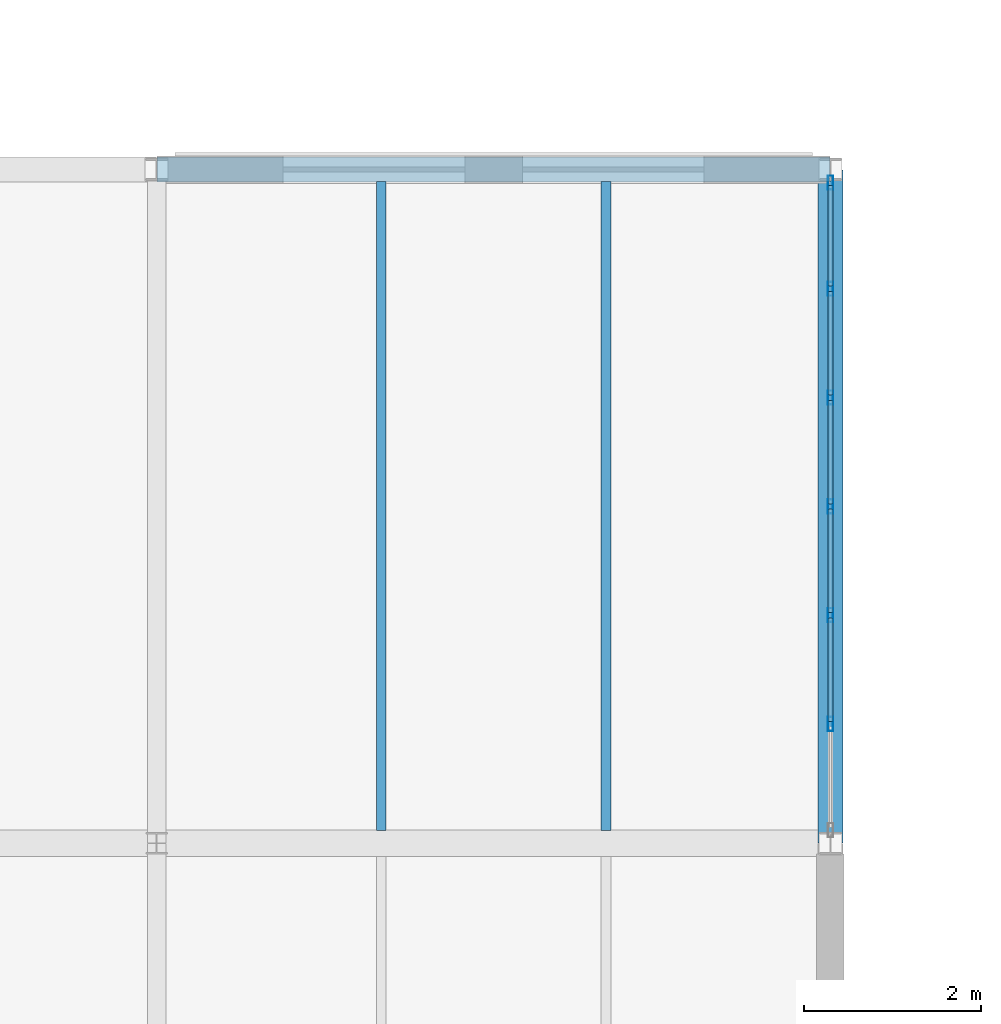
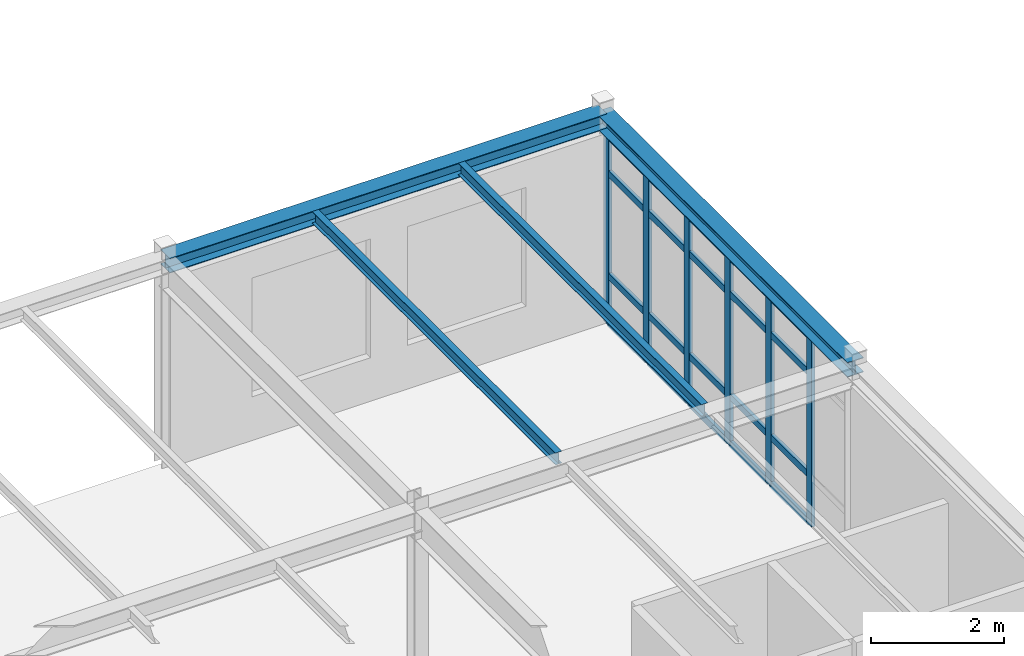
# One storey, part 37 of 189: 26 members, 4 beams, 1 element without a shape of its own.
"""IFC4 building model written with IfcOpenShell, lengths in metres."""

from ifc_helpers import new_model, si_unit, direction, frame, origin, origin_2d, place, context, subcontext, project, spatial, hollow_rectangle, i_section, extrude, material, layer, layer_set, material_profile, profile_set, type_object, element, aggregate, save


model = new_model("IFC4")

# Units and contexts
model_context = context("Model", 3, precision=1e-05, world=origin(), true_north=direction((0.0, 1.0)))
body_context = subcontext(model_context, "Body", "Model", "MODEL_VIEW")
ifc_project = project(units=[si_unit("LENGTHUNIT", "METRE"), si_unit("AREAUNIT", "SQUARE_METRE"), si_unit("VOLUMEUNIT", "CUBIC_METRE"), si_unit("PLANEANGLEUNIT", "RADIAN"), si_unit("MASSUNIT", "GRAM", prefix="KILO")], contexts=[model_context])

# Site, building, storey
site_placement = place(None, origin())
site = spatial("IfcSite", under=ifc_project, at=site_placement, CompositionType="ELEMENT")
building_placement = place(site_placement, origin())
building = spatial("IfcBuilding", under=site, at=building_placement, Name="Montecoro Central Library", CompositionType="ELEMENT")
storey_placement = place(building_placement, frame((0.0, 0.0, 9.179931640625)))
storey = spatial("IfcBuildingStorey", under=building, at=storey_placement, Name="L02", CompositionType="ELEMENT", Elevation=9.179931640625)

# Beams
ifc_material_1 = material(Name="Steel S355", Category="steel")
ifc_material_profile_1 = material_profile(ifc_material_1, i_section(OverallWidth=0.110107421875, OverallDepth=0.219970703125, WebThickness=0.005859375, FlangeThickness=0.00927734375, at=origin_2d()), Name="IPE 220")
ifc_profile_set_1 = profile_set([ifc_material_profile_1], Name="Steel S355")
beam_type_1 = type_object("IfcBeamType", Name="BM-J-IPE220", PredefinedType="JOIST", material=ifc_profile_set_1)
for number, where, z_axis, x_axis, name in (
    (1, (37.93310546875, 27.947021484375, 3.715087890625), (0.0, 1.0, 0.0), (-1.0, 0.0, 0.0), "V3-L02-JS-56-DE-1"),
    (2, (40.467041015625, 27.947021484375, 3.715087890625), (0.0, 1.0, 0.0), (-1.0, 0.0, 0.0), "V3-L02-JS-56-DE-2"),
):
    element("IfcBeam", number, at=place(storey_placement, frame(where, z_axis=z_axis, x_axis=x_axis)), inside=storey, type_object=beam_type_1, Name=name, PredefinedType="JOIST", context=body_context, shape_type="SweptSolid", body=[
        extrude(i_section(OverallWidth=0.110107421875, OverallDepth=0.219970703125, WebThickness=0.005859375, FlangeThickness=0.00927734375, at=origin_2d()), origin(), (0.0, 0.0, 1.0), 7.31591796875),
    ])
ifc_material_profile_2 = material_profile(ifc_material_1, i_section(OverallWidth=0.280029296875, OverallDepth=0.27001953125, WebThickness=0.008056640625, FlangeThickness=0.012939453125, at=origin_2d()), Name="HEA 280")
ifc_profile_set_2 = profile_set([ifc_material_profile_2], Name="Steel S355")
beam_type_2 = type_object("IfcBeamType", Name="BM-SP-HEA280", PredefinedType="SPANDREL", material=ifc_profile_set_2)
for number, where, z_axis, x_axis, name in (
    (3, (35.405029296875, 35.39990234375, 3.690185546875), (1.0, 0.0, 0.0), (0.0, 1.0, 0.0), "V3-L02-BX-56-E"),
    (4, (43.0, 27.804931640625, 3.690185546875), (0.0, 1.0, 0.0), (-1.0, 0.0, 0.0), "V3-L02-BY-6-DE"),
):
    element("IfcBeam", number, at=place(storey_placement, frame(where, z_axis=z_axis, x_axis=x_axis)), inside=storey, type_object=beam_type_2, Name=name, PredefinedType="SPANDREL", context=body_context, shape_type="SweptSolid", body=[
        extrude(i_section(OverallWidth=0.280029296875, OverallDepth=0.27001953125, WebThickness=0.008056640625, FlangeThickness=0.012939453125, at=origin_2d()), origin(), (0.0, 0.0, 1.0), 7.590087890625),
    ])

# Curtain wall, members
ifc_material_2 = material(Name="Bronze-anodised aluminium and low-E glazing", Category="aluminium")
ifc_layer = layer(ifc_material_2, 0.159912109375)
ifc_layer_set = layer_set([ifc_layer], Name="Bronze-anodised aluminium and low-E glazing")
curtain_wall_type = type_object("IfcCurtainWallType", Name="CWT-034", PredefinedType="NOTDEFINED", material=ifc_layer_set)
curtain_wall_placement = place(storey_placement, origin())
curtain_wall = element("IfcCurtainWall", 5, at=curtain_wall_placement, inside=storey, type_object=curtain_wall_type, Name="V3-L02-CW-E3", PredefinedType="NOTDEFINED")
ifc_material_3 = material(Name="Bronze-anodised aluminium", Category="aluminium")
ifc_material_profile_3 = material_profile(ifc_material_3, hollow_rectangle(XDim=0.06005859375, YDim=0.159912109375, WallThickness=0.00390625, at=origin_2d()), Name="CWM 160x60x4.0")
ifc_profile_set_3 = profile_set([ifc_material_profile_3], Name="Bronze-anodised aluminium")
member_type_1 = type_object("IfcMemberType", Name="CWM-BRZ-60", PredefinedType="MULLION", material=ifc_profile_set_3)
member_1_placement = place(storey_placement, frame((43.0, 29.145263671875, 0.0), z_axis=(0.0, 0.0, 1.0), x_axis=(-1.0, 0.0, 0.0)))
member_1 = element("IfcMember", 6, at=member_1_placement, type_object=member_type_1, Name="CW-034 mullion 2", PredefinedType="MULLION", context=body_context, shape_type="SweptSolid", body=[
    extrude(hollow_rectangle(XDim=0.06005859375, YDim=0.159912109375, WallThickness=0.00390625, at=origin_2d()), origin(), (0.0, 0.0, 1.0), 3.47998046875),
])
member_2_placement = place(storey_placement, frame((43.0, 30.37255859375, 0.0), z_axis=(0.0, 0.0, 1.0), x_axis=(-1.0, 0.0, 0.0)))
member_2 = element("IfcMember", 7, at=member_2_placement, type_object=member_type_1, Name="CW-034 mullion 3", PredefinedType="MULLION", context=body_context, shape_type="SweptSolid", body=[
    extrude(hollow_rectangle(XDim=0.06005859375, YDim=0.159912109375, WallThickness=0.00390625, at=origin_2d()), origin(), (0.0, 0.0, 1.0), 3.47998046875),
])
member_3_placement = place(storey_placement, frame((43.0, 31.60009765625, 0.0), z_axis=(0.0, 0.0, 1.0), x_axis=(-1.0, 0.0, 0.0)))
member_3 = element("IfcMember", 8, at=member_3_placement, type_object=member_type_1, Name="CW-034 mullion 4", PredefinedType="MULLION", context=body_context, shape_type="SweptSolid", body=[
    extrude(hollow_rectangle(XDim=0.06005859375, YDim=0.159912109375, WallThickness=0.00390625, at=origin_2d()), origin(), (0.0, 0.0, 1.0), 3.47998046875),
])
member_4_placement = place(storey_placement, frame((43.0, 32.827392578125, 0.0), z_axis=(0.0, 0.0, 1.0), x_axis=(-1.0, 0.0, 0.0)))
member_4 = element("IfcMember", 9, at=member_4_placement, type_object=member_type_1, Name="CW-034 mullion 5", PredefinedType="MULLION", context=body_context, shape_type="SweptSolid", body=[
    extrude(hollow_rectangle(XDim=0.06005859375, YDim=0.159912109375, WallThickness=0.00390625, at=origin_2d()), origin(), (0.0, 0.0, 1.0), 3.47998046875),
])
member_5_placement = place(storey_placement, frame((43.0, 34.0546875, 0.0), z_axis=(0.0, 0.0, 1.0), x_axis=(-1.0, 0.0, 0.0)))
member_5 = element("IfcMember", 10, at=member_5_placement, type_object=member_type_1, Name="CW-034 mullion 6", PredefinedType="MULLION", context=body_context, shape_type="SweptSolid", body=[
    extrude(hollow_rectangle(XDim=0.06005859375, YDim=0.159912109375, WallThickness=0.00390625, at=origin_2d()), origin(), (0.0, 0.0, 1.0), 3.47998046875),
])
member_6_placement = place(storey_placement, frame((43.0, 35.251953125, 0.0), z_axis=(0.0, 0.0, 1.0), x_axis=(-1.0, 0.0, 0.0)))
member_6 = element("IfcMember", 11, at=member_6_placement, type_object=member_type_1, Name="CW-034 mullion 7", PredefinedType="MULLION", context=body_context, shape_type="SweptSolid", body=[
    extrude(hollow_rectangle(XDim=0.06005859375, YDim=0.159912109375, WallThickness=0.00390625, at=origin_2d()), origin(), (0.0, 0.0, 1.0), 3.47998046875),
])
ifc_material_profile_4 = material_profile(ifc_material_3, hollow_rectangle(XDim=0.06005859375, YDim=0.1201171875, WallThickness=0.00390625, at=origin_2d()), Name="CWT 120x60x4.0")
ifc_profile_set_4 = profile_set([ifc_material_profile_4], Name="Bronze-anodised aluminium")
member_type_2 = type_object("IfcMemberType", Name="CWT-BRZ-60", PredefinedType="USERDEFINED", material=ifc_profile_set_4)
member_7_placement = place(storey_placement, frame((43.0, 29.17529296875, 0.030029296875), z_axis=(0.0, 1.0, 0.0), x_axis=(-1.0, 0.0, 0.0)))
member_7 = element("IfcMember", 12, at=member_7_placement, type_object=member_type_2, Name="CW-034 transom 2.1", ObjectType="TRANSOM", PredefinedType="USERDEFINED", context=body_context, shape_type="SweptSolid", body=[
    extrude(hollow_rectangle(XDim=0.06005859375, YDim=0.1201171875, WallThickness=0.00390625, at=origin_2d()), origin(), (0.0, 0.0, 1.0), 1.16748046875),
])
member_8_placement = place(storey_placement, frame((43.0, 29.17529296875, 0.900146484375), z_axis=(0.0, 1.0, 0.0), x_axis=(-1.0, 0.0, 0.0)))
member_8 = element("IfcMember", 13, at=member_8_placement, type_object=member_type_2, Name="CW-034 transom 2.2", ObjectType="TRANSOM", PredefinedType="USERDEFINED", context=body_context, shape_type="SweptSolid", body=[
    extrude(hollow_rectangle(XDim=0.06005859375, YDim=0.1201171875, WallThickness=0.00390625, at=origin_2d()), origin(), (0.0, 0.0, 1.0), 1.16748046875),
])
member_9_placement = place(storey_placement, frame((43.0, 29.17529296875, 2.780029296875), z_axis=(0.0, 1.0, 0.0), x_axis=(-1.0, 0.0, 0.0)))
member_9 = element("IfcMember", 14, at=member_9_placement, type_object=member_type_2, Name="CW-034 transom 2.3", ObjectType="TRANSOM", PredefinedType="USERDEFINED", context=body_context, shape_type="SweptSolid", body=[
    extrude(hollow_rectangle(XDim=0.06005859375, YDim=0.1201171875, WallThickness=0.00390625, at=origin_2d()), origin(), (0.0, 0.0, 1.0), 1.16748046875),
])
member_10_placement = place(storey_placement, frame((43.0, 29.17529296875, 3.449951171875), z_axis=(0.0, 1.0, 0.0), x_axis=(-1.0, 0.0, 0.0)))
member_10 = element("IfcMember", 15, at=member_10_placement, type_object=member_type_2, Name="CW-034 transom 2.4", ObjectType="TRANSOM", PredefinedType="USERDEFINED", context=body_context, shape_type="SweptSolid", body=[
    extrude(hollow_rectangle(XDim=0.06005859375, YDim=0.1201171875, WallThickness=0.00390625, at=origin_2d()), origin(), (0.0, 0.0, 1.0), 1.16748046875),
])
member_11_placement = place(storey_placement, frame((43.0, 30.402587890625, 0.030029296875), z_axis=(0.0, 1.0, 0.0), x_axis=(-1.0, 0.0, 0.0)))
member_11 = element("IfcMember", 16, at=member_11_placement, type_object=member_type_2, Name="CW-034 transom 3.1", ObjectType="TRANSOM", PredefinedType="USERDEFINED", context=body_context, shape_type="SweptSolid", body=[
    extrude(hollow_rectangle(XDim=0.06005859375, YDim=0.1201171875, WallThickness=0.00390625, at=origin_2d()), origin(), (0.0, 0.0, 1.0), 1.16748046875),
])
member_12_placement = place(storey_placement, frame((43.0, 30.402587890625, 0.900146484375), z_axis=(0.0, 1.0, 0.0), x_axis=(-1.0, 0.0, 0.0)))
member_12 = element("IfcMember", 17, at=member_12_placement, type_object=member_type_2, Name="CW-034 transom 3.2", ObjectType="TRANSOM", PredefinedType="USERDEFINED", context=body_context, shape_type="SweptSolid", body=[
    extrude(hollow_rectangle(XDim=0.06005859375, YDim=0.1201171875, WallThickness=0.00390625, at=origin_2d()), origin(), (0.0, 0.0, 1.0), 1.16748046875),
])
member_13_placement = place(storey_placement, frame((43.0, 30.402587890625, 2.780029296875), z_axis=(0.0, 1.0, 0.0), x_axis=(-1.0, 0.0, 0.0)))
member_13 = element("IfcMember", 18, at=member_13_placement, type_object=member_type_2, Name="CW-034 transom 3.3", ObjectType="TRANSOM", PredefinedType="USERDEFINED", context=body_context, shape_type="SweptSolid", body=[
    extrude(hollow_rectangle(XDim=0.06005859375, YDim=0.1201171875, WallThickness=0.00390625, at=origin_2d()), origin(), (0.0, 0.0, 1.0), 1.16748046875),
])
member_14_placement = place(storey_placement, frame((43.0, 30.402587890625, 3.449951171875), z_axis=(0.0, 1.0, 0.0), x_axis=(-1.0, 0.0, 0.0)))
member_14 = element("IfcMember", 19, at=member_14_placement, type_object=member_type_2, Name="CW-034 transom 3.4", ObjectType="TRANSOM", PredefinedType="USERDEFINED", context=body_context, shape_type="SweptSolid", body=[
    extrude(hollow_rectangle(XDim=0.06005859375, YDim=0.1201171875, WallThickness=0.00390625, at=origin_2d()), origin(), (0.0, 0.0, 1.0), 1.16748046875),
])
member_15_placement = place(storey_placement, frame((43.0, 31.6298828125, 0.030029296875), z_axis=(0.0, 1.0, 0.0), x_axis=(-1.0, 0.0, 0.0)))
member_15 = element("IfcMember", 20, at=member_15_placement, type_object=member_type_2, Name="CW-034 transom 4.1", ObjectType="TRANSOM", PredefinedType="USERDEFINED", context=body_context, shape_type="SweptSolid", body=[
    extrude(hollow_rectangle(XDim=0.06005859375, YDim=0.1201171875, WallThickness=0.00390625, at=origin_2d()), origin(), (0.0, 0.0, 1.0), 1.16748046875),
])
member_16_placement = place(storey_placement, frame((43.0, 31.6298828125, 0.900146484375), z_axis=(0.0, 1.0, 0.0), x_axis=(-1.0, 0.0, 0.0)))
member_16 = element("IfcMember", 21, at=member_16_placement, type_object=member_type_2, Name="CW-034 transom 4.2", ObjectType="TRANSOM", PredefinedType="USERDEFINED", context=body_context, shape_type="SweptSolid", body=[
    extrude(hollow_rectangle(XDim=0.06005859375, YDim=0.1201171875, WallThickness=0.00390625, at=origin_2d()), origin(), (0.0, 0.0, 1.0), 1.16748046875),
])
member_17_placement = place(storey_placement, frame((43.0, 31.6298828125, 2.780029296875), z_axis=(0.0, 1.0, 0.0), x_axis=(-1.0, 0.0, 0.0)))
member_17 = element("IfcMember", 22, at=member_17_placement, type_object=member_type_2, Name="CW-034 transom 4.3", ObjectType="TRANSOM", PredefinedType="USERDEFINED", context=body_context, shape_type="SweptSolid", body=[
    extrude(hollow_rectangle(XDim=0.06005859375, YDim=0.1201171875, WallThickness=0.00390625, at=origin_2d()), origin(), (0.0, 0.0, 1.0), 1.16748046875),
])
member_18_placement = place(storey_placement, frame((43.0, 31.6298828125, 3.449951171875), z_axis=(0.0, 1.0, 0.0), x_axis=(-1.0, 0.0, 0.0)))
member_18 = element("IfcMember", 23, at=member_18_placement, type_object=member_type_2, Name="CW-034 transom 4.4", ObjectType="TRANSOM", PredefinedType="USERDEFINED", context=body_context, shape_type="SweptSolid", body=[
    extrude(hollow_rectangle(XDim=0.06005859375, YDim=0.1201171875, WallThickness=0.00390625, at=origin_2d()), origin(), (0.0, 0.0, 1.0), 1.16748046875),
])
member_19_placement = place(storey_placement, frame((43.0, 32.857421875, 0.030029296875), z_axis=(0.0, 1.0, 0.0), x_axis=(-1.0, 0.0, 0.0)))
member_19 = element("IfcMember", 24, at=member_19_placement, type_object=member_type_2, Name="CW-034 transom 5.1", ObjectType="TRANSOM", PredefinedType="USERDEFINED", context=body_context, shape_type="SweptSolid", body=[
    extrude(hollow_rectangle(XDim=0.06005859375, YDim=0.1201171875, WallThickness=0.00390625, at=origin_2d()), origin(), (0.0, 0.0, 1.0), 1.167236328125),
])
member_20_placement = place(storey_placement, frame((43.0, 32.857421875, 0.900146484375), z_axis=(0.0, 1.0, 0.0), x_axis=(-1.0, 0.0, 0.0)))
member_20 = element("IfcMember", 25, at=member_20_placement, type_object=member_type_2, Name="CW-034 transom 5.2", ObjectType="TRANSOM", PredefinedType="USERDEFINED", context=body_context, shape_type="SweptSolid", body=[
    extrude(hollow_rectangle(XDim=0.06005859375, YDim=0.1201171875, WallThickness=0.00390625, at=origin_2d()), origin(), (0.0, 0.0, 1.0), 1.167236328125),
])
member_21_placement = place(storey_placement, frame((43.0, 32.857421875, 2.780029296875), z_axis=(0.0, 1.0, 0.0), x_axis=(-1.0, 0.0, 0.0)))
member_21 = element("IfcMember", 26, at=member_21_placement, type_object=member_type_2, Name="CW-034 transom 5.3", ObjectType="TRANSOM", PredefinedType="USERDEFINED", context=body_context, shape_type="SweptSolid", body=[
    extrude(hollow_rectangle(XDim=0.06005859375, YDim=0.1201171875, WallThickness=0.00390625, at=origin_2d()), origin(), (0.0, 0.0, 1.0), 1.167236328125),
])
member_22_placement = place(storey_placement, frame((43.0, 32.857421875, 3.449951171875), z_axis=(0.0, 1.0, 0.0), x_axis=(-1.0, 0.0, 0.0)))
member_22 = element("IfcMember", 27, at=member_22_placement, type_object=member_type_2, Name="CW-034 transom 5.4", ObjectType="TRANSOM", PredefinedType="USERDEFINED", context=body_context, shape_type="SweptSolid", body=[
    extrude(hollow_rectangle(XDim=0.06005859375, YDim=0.1201171875, WallThickness=0.00390625, at=origin_2d()), origin(), (0.0, 0.0, 1.0), 1.167236328125),
])
member_23_placement = place(storey_placement, frame((43.0, 34.084716796875, 0.030029296875), z_axis=(0.0, 1.0, 0.0), x_axis=(-1.0, 0.0, 0.0)))
member_23 = element("IfcMember", 28, at=member_23_placement, type_object=member_type_2, Name="CW-034 transom 6.1", ObjectType="TRANSOM", PredefinedType="USERDEFINED", context=body_context, shape_type="SweptSolid", body=[
    extrude(hollow_rectangle(XDim=0.06005859375, YDim=0.1201171875, WallThickness=0.00390625, at=origin_2d()), origin(), (0.0, 0.0, 1.0), 1.13720703125),
])
member_24_placement = place(storey_placement, frame((43.0, 34.084716796875, 0.900146484375), z_axis=(0.0, 1.0, 0.0), x_axis=(-1.0, 0.0, 0.0)))
member_24 = element("IfcMember", 29, at=member_24_placement, type_object=member_type_2, Name="CW-034 transom 6.2", ObjectType="TRANSOM", PredefinedType="USERDEFINED", context=body_context, shape_type="SweptSolid", body=[
    extrude(hollow_rectangle(XDim=0.06005859375, YDim=0.1201171875, WallThickness=0.00390625, at=origin_2d()), origin(), (0.0, 0.0, 1.0), 1.13720703125),
])
member_25_placement = place(storey_placement, frame((43.0, 34.084716796875, 2.780029296875), z_axis=(0.0, 1.0, 0.0), x_axis=(-1.0, 0.0, 0.0)))
member_25 = element("IfcMember", 30, at=member_25_placement, type_object=member_type_2, Name="CW-034 transom 6.3", ObjectType="TRANSOM", PredefinedType="USERDEFINED", context=body_context, shape_type="SweptSolid", body=[
    extrude(hollow_rectangle(XDim=0.06005859375, YDim=0.1201171875, WallThickness=0.00390625, at=origin_2d()), origin(), (0.0, 0.0, 1.0), 1.13720703125),
])
member_26_placement = place(storey_placement, frame((43.0, 34.084716796875, 3.449951171875), z_axis=(0.0, 1.0, 0.0), x_axis=(-1.0, 0.0, 0.0)))
member_26 = element("IfcMember", 31, at=member_26_placement, type_object=member_type_2, Name="CW-034 transom 6.4", ObjectType="TRANSOM", PredefinedType="USERDEFINED", context=body_context, shape_type="SweptSolid", body=[
    extrude(hollow_rectangle(XDim=0.06005859375, YDim=0.1201171875, WallThickness=0.00390625, at=origin_2d()), origin(), (0.0, 0.0, 1.0), 1.13720703125),
])
aggregate(curtain_wall, [member_1, member_2, member_3, member_4, member_5, member_6, member_7, member_8, member_9, member_10, member_11, member_12, member_13, member_14, member_15, member_16, member_17, member_18, member_19, member_20, member_21, member_22, member_23, member_24, member_25, member_26])

save(model, "model.ifc")
